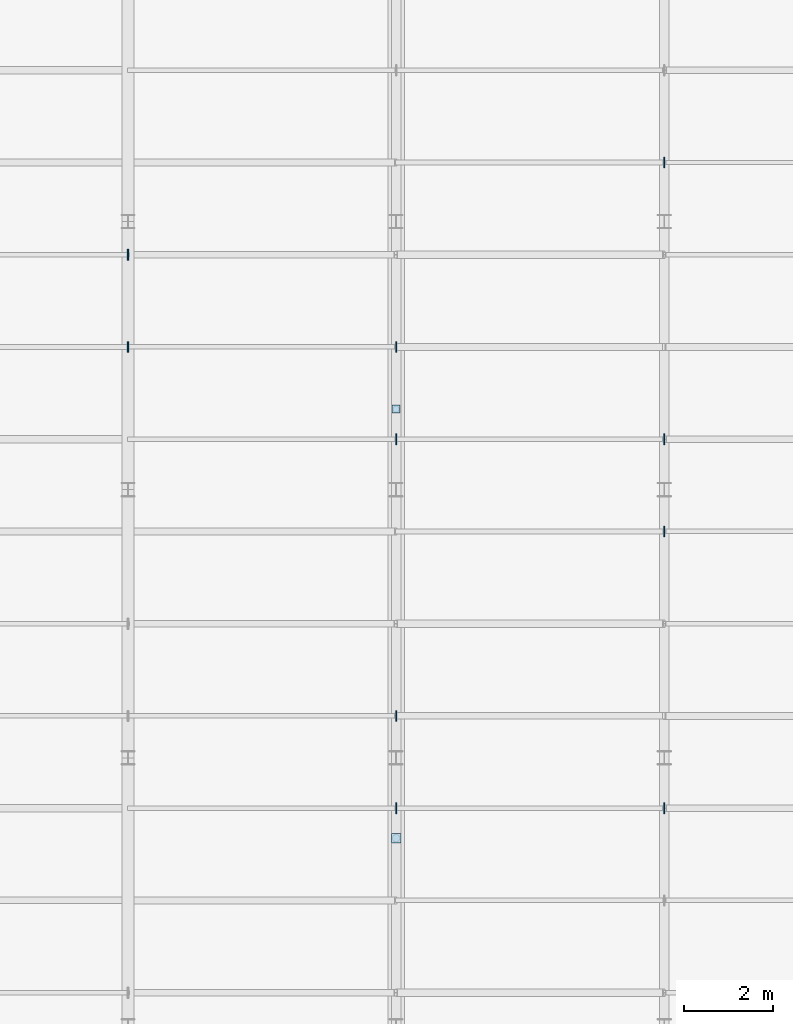
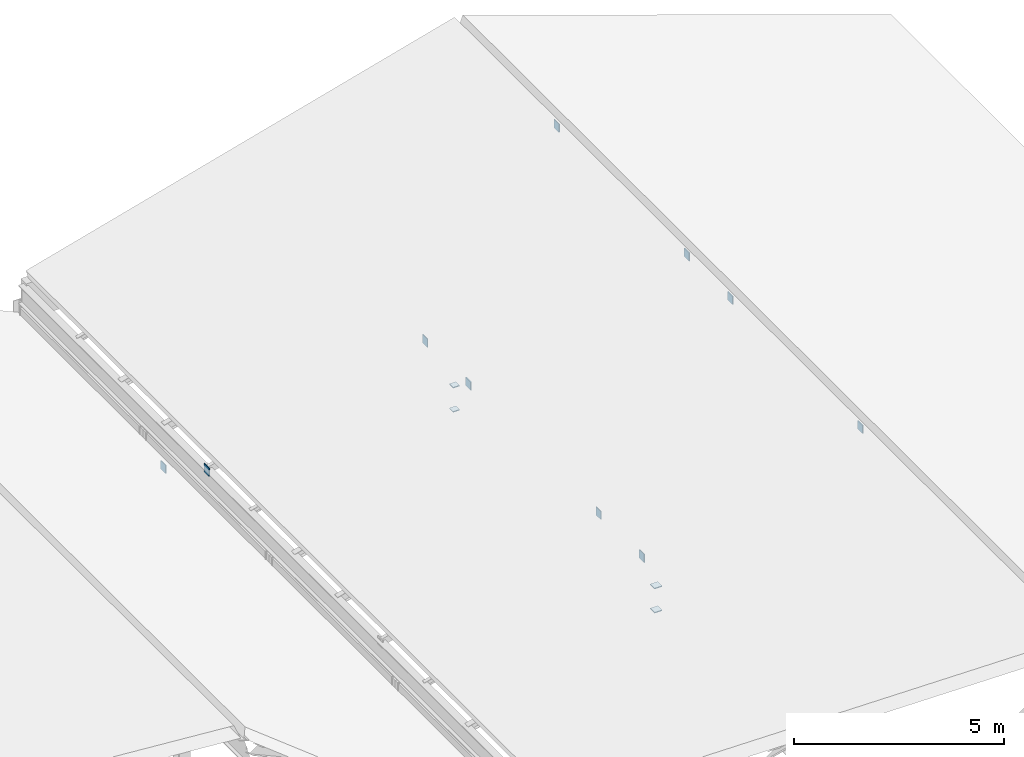
# One storey, part 53 of 74: 14 plates.
"""IFC4 building model written with IfcOpenShell, lengths in metres."""

from ifc_helpers import new_model, si_unit, direction, frame, origin, origin_2d, place, context, subcontext, project, spatial, rectangle, extrude, material, layer, layer_set, type_object, element, save


model = new_model("IFC4")

# Units and contexts
model_context = context("Model", 3, precision=1e-05, world=origin(), true_north=direction((0.0, 1.0)))
body_context = subcontext(model_context, "Body", "Model", "MODEL_VIEW")
ifc_project = project(units=[si_unit("LENGTHUNIT", "METRE"), si_unit("AREAUNIT", "SQUARE_METRE"), si_unit("VOLUMEUNIT", "CUBIC_METRE"), si_unit("PLANEANGLEUNIT", "RADIAN"), si_unit("MASSUNIT", "GRAM", prefix="KILO")], contexts=[model_context])

# Site, building, storey
site_placement = place(None, origin())
site = spatial("IfcSite", under=ifc_project, at=site_placement, CompositionType="ELEMENT")
building_placement = place(site_placement, origin())
building = spatial("IfcBuilding", under=site, at=building_placement, Name="Siltcreek Boulevard Central Fire Station", CompositionType="ELEMENT")
storey_placement = place(building_placement, frame((0.0, 0.0, 25.199951171875)))
storey = spatial("IfcBuildingStorey", under=building, at=storey_placement, Name="RF", CompositionType="ELEMENT", Elevation=25.199951171875)

# Plates
ifc_material = material(Name="Structural steel ASTM A572 Gr50", Category="steel")
ifc_layer = layer(ifc_material, 0.02490234375, Name="Structural steel ASTM A572 Gr50")
ifc_layer_set = layer_set([ifc_layer], Name="Structural steel ASTM A572 Gr50")
plate_type = type_object("IfcPlateType", Name="PL_CAP25", PredefinedType="USERDEFINED", material=ifc_layer_set)
plate_placement = place(storey_placement, frame((83.99951171875, 47.257080078125, -11.5673828125), z_axis=(0.0, 0.0, 1.0), x_axis=(1.0, 0.0, 0.0)))
element("IfcPlate", 1, at=plate_placement, inside=storey, type_object=plate_type, Name="Sloped roof purlin PR-0111 sealed end cap 2", ObjectType="END CAP", PredefinedType="USERDEFINED", context=body_context, shape_type="SweptSolid", body=[
    extrude(rectangle(XDim=0.02490234375, YDim=0.239990234375, at=origin_2d()), origin(), (0.0, 0.0, 1.0), 0.239990234375),
])
for number, where, z_axis, x_axis, name in (
    (2, (90.0, 34.199951171875, -9.78369140625), (0.0, 0.0, 1.0), (1.0, 0.0, 0.0), "Roof truss web strut BR-046 sealed end cap 1"),
    (3, (90.0, 34.199951171875, -9.082763671875), (0.0, 0.0, 1.0), (1.0, 0.0, 0.0), "Roof truss web strut BR-046 sealed end cap 2"),
):
    element("IfcPlate", number, at=place(storey_placement, frame(where, z_axis=z_axis, x_axis=x_axis)), inside=storey, type_object=plate_type, Name=name, ObjectType="END CAP", PredefinedType="USERDEFINED", context=body_context, shape_type="SweptSolid", body=[
        extrude(rectangle(XDim=0.208251953125, YDim=0.208251953125, at=origin_2d()), origin(), (0.0, 0.0, 1.0), 0.02490234375),
    ])
for number, where, z_axis, x_axis, name in (
    (4, (90.0, 43.800048828125, -9.78369140625), (0.0, 0.0, 1.0), (1.0, 0.0, 0.0), "Roof truss web strut BR-047 sealed end cap 1"),
    (5, (90.0, 43.800048828125, -9.082763671875), (0.0, 0.0, 1.0), (1.0, 0.0, 0.0), "Roof truss web strut BR-047 sealed end cap 2"),
):
    element("IfcPlate", number, at=place(storey_placement, frame(where, z_axis=z_axis, x_axis=x_axis)), inside=storey, type_object=plate_type, Name=name, ObjectType="END CAP", PredefinedType="USERDEFINED", context=body_context, shape_type="SweptSolid", body=[
        extrude(rectangle(XDim=0.1796875, YDim=0.1796875, at=origin_2d()), origin(), (0.0, 0.0, 1.0), 0.02490234375),
    ])
for number, where, z_axis, x_axis, name in (
    (6, (90.0, 36.935791015625, -8.7470703125), (0.0, 0.0, 1.0), (1.0, 0.0, 0.0), "Sloped roof purlin PR-0119 sealed end cap 2"),
    (7, (84.0, 45.19287109375, -10.39697265625), (0.0, 0.0, 1.0), (1.0, 0.0, 0.0), "Sloped roof purlin PR-0123 sealed end cap 1"),
    (8, (90.0, 45.19287109375, -8.7470703125), (0.0, 0.0, 1.0), (1.0, 0.0, 0.0), "Sloped roof purlin PR-0123 sealed end cap 2"),
    (9, (90.0, 34.871337890625, -8.7470703125), (0.0, 0.0, 1.0), (1.0, 0.0, 0.0), "Sloped roof purlin PR-0131 sealed end cap 1"),
    (10, (96.0, 34.871337890625, -7.09716796875), (0.0, 0.0, 1.0), (1.0, 0.0, 0.0), "Sloped roof purlin PR-0131 sealed end cap 2"),
    (11, (90.0, 43.128662109375, -8.7470703125), (0.0, 0.0, 1.0), (1.0, 0.0, 0.0), "Sloped roof purlin PR-0135 sealed end cap 1"),
    (12, (96.0, 43.128662109375, -7.09716796875), (0.0, 0.0, 1.0), (1.0, 0.0, 0.0), "Sloped roof purlin PR-0135 sealed end cap 2"),
    (13, (96.0, 41.064208984375, -7.10498046875), (0.0, 0.0, 1.0), (1.0, 0.0, 0.0), "Sloped roof purlin PR-0147 sealed end cap 1"),
    (14, (96.0, 49.3212890625, -7.10498046875), (0.0, 0.0, 1.0), (1.0, 0.0, 0.0), "Sloped roof purlin PR-0151 sealed end cap 1"),
):
    element("IfcPlate", number, at=place(storey_placement, frame(where, z_axis=z_axis, x_axis=x_axis)), inside=storey, type_object=plate_type, Name=name, ObjectType="END CAP", PredefinedType="USERDEFINED", context=body_context, shape_type="SweptSolid", body=[
        extrude(rectangle(XDim=0.02490234375, YDim=0.239990234375, at=origin_2d()), origin(), (0.0, 0.0, 1.0), 0.239990234375),
    ])

save(model, "model.ifc")
